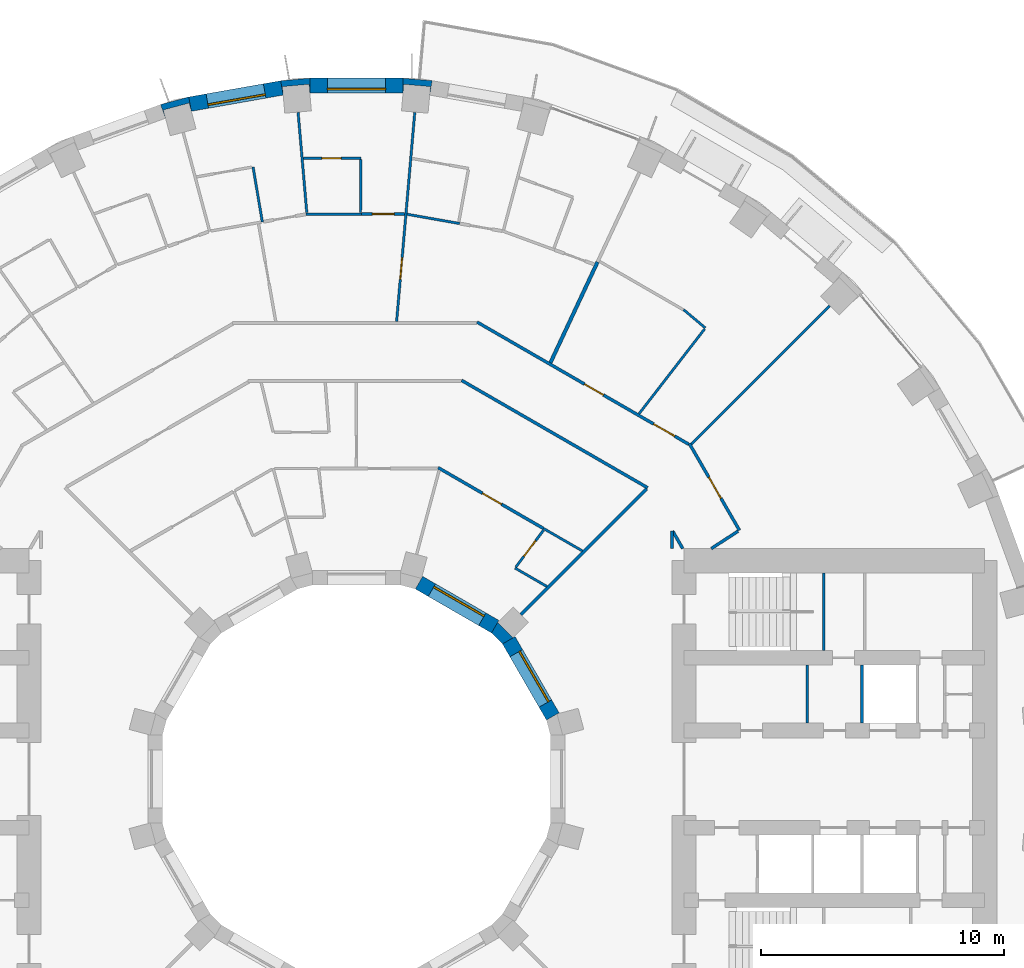
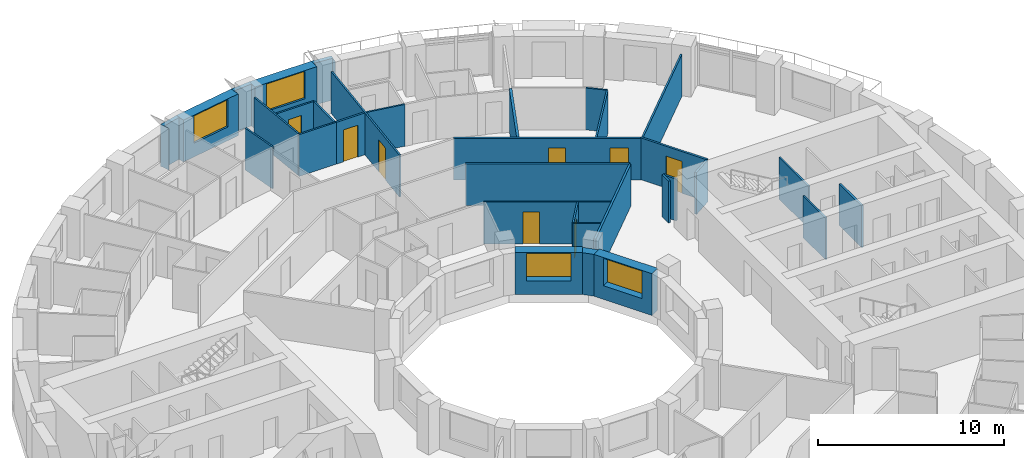
# One storey, part 12 of 15: 34 walls, 8 doors, 4 windows, 12 openings.
"""IFC4 building model written with IfcOpenShell, lengths in metres."""

from ifc_helpers import new_model, si_unit, direction, frame, frame_2d, origin, place, context, subcontext, project, spatial, polyline, rectangle, outline, extrude, material, layer, layer_set, type_object, element, fill, save


model = new_model("IFC4")

# Units and contexts
model_context = context("Model", 3, precision=1e-05, world=origin(), true_north=direction((0.0, 1.0)))
body_context = subcontext(model_context, "Body", "Model", "MODEL_VIEW")
ifc_project = project(units=[si_unit("LENGTHUNIT", "METRE"), si_unit("AREAUNIT", "SQUARE_METRE"), si_unit("VOLUMEUNIT", "CUBIC_METRE"), si_unit("PLANEANGLEUNIT", "RADIAN"), si_unit("MASSUNIT", "GRAM", prefix="KILO")], contexts=[model_context])

# Site, building, storey
site_placement = place(None, origin())
site = spatial("IfcSite", under=ifc_project, at=site_placement, CompositionType="ELEMENT")
building_placement = place(site_placement, origin())
building = spatial("IfcBuilding", under=site, at=building_placement, Name="Saqina Gate Tower", CompositionType="ELEMENT")
storey_placement = place(building_placement, frame((0.0, 0.0, 72.5)))
storey = spatial("IfcBuildingStorey", under=building, at=storey_placement, Name="L20", CompositionType="ELEMENT", Elevation=72.5)

# Walls
ifc_material_1 = material(Name="Brick masonry (red)", Category="masonry")
wall_type_1 = type_object("IfcWallType", Name="BRICK PIER COPING RED", PredefinedType="SOLIDWALL", material=ifc_material_1)
wall_1_placement = place(storey_placement, origin())
element("IfcWall", 1, at=wall_1_placement, inside=storey, type_object=wall_type_1, Name="Pier cap L20 column 9", PredefinedType="SOLIDWALL", context=body_context, shape_type="SweptSolid", body=[
    extrude(outline(polyline([(3.122802734375, 28.78466796875), (1.9228515625, 28.8896484375), (1.9228515625, 28.28955078125), (1.95361328125, 28.638671875), (3.04931640625, 28.54296875), (3.018798828125, 28.19384765625), (3.122802734375, 28.78466796875)])), origin(), (0.0, 0.0, 1.0), 2.75),
])
wall_2_placement = place(storey_placement, origin())
element("IfcWall", 2, at=wall_2_placement, inside=storey, type_object=wall_type_1, Name="Pier cap L20 column 10", PredefinedType="SOLIDWALL", context=body_context, shape_type="SweptSolid", body=[
    extrude(outline(polyline([(-1.9228515625, 28.8896484375), (-3.122802734375, 28.78466796875), (-3.018798828125, 28.19384765625), (-3.04931640625, 28.54296875), (-1.95361328125, 28.638671875), (-1.9228515625, 28.28955078125), (-1.9228515625, 28.8896484375)])), origin(), (0.0, 0.0, 1.0), 2.75),
])
wall_3_placement = place(storey_placement, origin())
element("IfcWall", 3, at=wall_3_placement, inside=storey, type_object=wall_type_1, Name="Pier cap L20 column 11", PredefinedType="SOLIDWALL", context=body_context, shape_type="SweptSolid", body=[
    extrude(outline(polyline([(-6.910400390625, 28.11669921875), (-8.073974609375, 27.80517578125), (-7.86865234375, 27.2412109375), (-7.95947265625, 27.57958984375), (-6.896728515625, 27.864501953125), (-6.80615234375, 27.52587890625), (-6.910400390625, 28.11669921875)])), origin(), (0.0, 0.0, 1.0), 2.75),
])
ifc_material_2 = material(Name="Gypsum board on steel studs", Category="steel")
ifc_layer_1 = layer(ifc_material_2, 0.10009765625)
ifc_layer_set_1 = layer_set([ifc_layer_1], Name="CORE PARTITION")
wall_type_2 = type_object("IfcWallType", Name="CORE PARTITION", PredefinedType="PARTITIONING", material=ifc_layer_set_1)
wall_4_placement = place(storey_placement, frame((18.582763671875, 2.300048828125, 0.0), z_axis=(0.0, 0.0, 1.0), x_axis=(0.0, 1.0, 0.0)))
element("IfcWall", 4, at=wall_4_placement, inside=storey, type_object=wall_type_2, Name="L20-CP-E01", PredefinedType="PARTITIONING", context=body_context, shape_type="SweptSolid", body=[
    extrude(rectangle(XDim=2.39990234375, YDim=0.10009765625, at=frame_2d((1.199951171875, 0.0))), origin(), (0.0, 0.0, 1.0), 2.75),
])

# Wall, opening, window
ifc_material_3 = material(Name="Brick masonry (red)", Category="masonry")
ifc_layer_2 = layer(ifc_material_3, 0.60009765625)
ifc_layer_set_2 = layer_set([ifc_layer_2], Name="FW-BRICK-RED")
wall_type_3 = type_object("IfcWallType", Name="FW-BRICK-RED", PredefinedType="SOLIDWALL", material=ifc_layer_set_2)
wall_5_placement = place(storey_placement, frame((1.9228515625, 28.589599609375, 0.0), z_axis=(0.0, 0.0, 1.0), x_axis=(-1.0, 0.0, 0.0)))
wall_5 = element("IfcWall", 5, at=wall_5_placement, inside=storey, type_object=wall_type_3, Name="Facade wall L20 facet 9", PredefinedType="SOLIDWALL", context=body_context, shape_type="SweptSolid", body=[
    extrude(rectangle(XDim=3.845703125, YDim=0.60009765625, at=frame_2d((1.9228515625, 0.0))), origin(), (0.0, 0.0, 1.0), 2.75),
])
opening_1_placement = place(wall_5_placement, frame((0.722900390625, 0.0, 0.89990234375)))
opening_1 = element("IfcOpeningElement", 6, at=opening_1_placement, cuts=wall_5, Name="Opening G05-W03", PredefinedType="OPENING", context=body_context, shape_type="SweptSolid", body=[
    extrude(rectangle(XDim=2.39990234375, YDim=1.800048828125, at=frame_2d((1.199951171875, 0.89990234375))), frame((0.0, 0.31201171875, 0.0), z_axis=(0.0, -1.0, 0.0), x_axis=(1.0, 0.0, 0.0)), (0.0, 0.0, 1.0), 0.6240234375),
])
ifc_material_4 = material(Name="Aluminium glazing", Category="aluminium")
window_type_1 = type_object("IfcWindowType", Name="WN-A", PartitioningType="SINGLE_PANEL", PredefinedType="WINDOW", material=ifc_material_4)
window_1_placement = place(opening_1_placement, origin())
window_1 = element("IfcWindow", 7, at=window_1_placement, inside=storey, type_object=window_type_1, Name="Window L20 facet 9", OverallHeight=1.800048828125, OverallWidth=2.39990234375, PartitioningType="SINGLE_PANEL", PredefinedType="WINDOW", context=body_context, shape_type="SweptSolid", body=[
    extrude(rectangle(XDim=2.39990234375, YDim=1.800048828125, at=frame_2d((1.199951171875, 0.89990234375))), frame((0.0, 0.179931640625, 0.0), z_axis=(0.0, -1.0, 0.0), x_axis=(1.0, 0.0, 0.0)), (0.0, 0.0, 1.0), 0.06005859375),
])
fill(opening_1, window_1)

wall_6_placement = place(storey_placement, frame((-3.07080078125, 28.4892578125, 0.0), z_axis=(0.0, 0.0, 1.0), x_axis=(-0.984800809218, -0.173687553279, 0.0)))
wall_6 = element("IfcWall", 8, at=wall_6_placement, inside=storey, type_object=wall_type_3, Name="Facade wall L20 facet 10", PredefinedType="SOLIDWALL", context=body_context, shape_type="SweptSolid", body=[
    extrude(rectangle(XDim=3.845703125, YDim=0.60009765625, at=frame_2d((1.9228515625, 0.0))), origin(), (0.0, 0.0, 1.0), 2.75),
])
opening_2_placement = place(wall_6_placement, frame((0.722900390625, 0.0, 0.89990234375)))
opening_2 = element("IfcOpeningElement", 9, at=opening_2_placement, cuts=wall_6, Name="Opening G05-W04", PredefinedType="OPENING", context=body_context, shape_type="SweptSolid", body=[
    extrude(rectangle(XDim=2.39990234375, YDim=1.800048828125, at=frame_2d((1.199951171875, 0.89990234375))), frame((0.0, 0.31201171875, 0.0), z_axis=(0.0, -1.0, 0.0), x_axis=(1.0, 0.0, 0.0)), (0.0, 0.0, 1.0), 0.6240234375),
])
window_2_placement = place(opening_2_placement, origin())
window_2 = element("IfcWindow", 10, at=window_2_placement, inside=storey, type_object=window_type_1, Name="Window L20 facet 10", OverallHeight=1.800048828125, OverallWidth=2.39990234375, PartitioningType="SINGLE_PANEL", PredefinedType="WINDOW", context=body_context, shape_type="SweptSolid", body=[
    extrude(rectangle(XDim=2.39990234375, YDim=1.800048828125, at=frame_2d((1.199951171875, 0.89990234375))), frame((0.0, 0.179931640625, 0.0), z_axis=(0.0, -1.0, 0.0), x_axis=(1.0, 0.0, 0.0)), (0.0, 0.0, 1.0), 0.06005859375),
])
fill(opening_2, window_2)

ifc_material_5 = material(Name="Glazed ceramic tile", Category="ceramic")
ifc_layer_3 = layer(ifc_material_5, 0.60009765625)
ifc_layer_set_3 = layer_set([ifc_layer_3], Name="IW-TILE")
wall_type_4 = type_object("IfcWallType", Name="IW-TILE", PredefinedType="SOLIDWALL", material=ifc_layer_set_3)
wall_7_placement = place(storey_placement, frame((8.09423828125, 2.580322265625, 0.0), z_axis=(0.0, 0.0, 1.0), x_axis=(-0.499992569217, 0.866029693906, 0.0)))
wall_7 = element("IfcWall", 11, at=wall_7_placement, inside=storey, type_object=wall_type_4, Name="Well wall L20 facet 1", PredefinedType="SOLIDWALL", context=body_context, shape_type="SweptSolid", body=[
    extrude(rectangle(XDim=3.625, YDim=0.60009765625, at=frame_2d((1.8125, 0.0))), origin(), (0.0, 0.0, 1.0), 2.75),
])
opening_3_placement = place(wall_7_placement, frame((0.612548828125, 0.0, 0.89990234375)))
opening_3 = element("IfcOpeningElement", 12, at=opening_3_placement, cuts=wall_7, Name="Opening G05-W23", PredefinedType="OPENING", context=body_context, shape_type="SweptSolid", body=[
    extrude(rectangle(XDim=2.39990234375, YDim=1.800048828125, at=frame_2d((1.199951171875, 0.89990234375))), frame((0.0, 0.31201171875, 0.0), z_axis=(0.0, -1.0, 0.0), x_axis=(1.0, 0.0, 0.0)), (0.0, 0.0, 1.0), 0.6240234375),
])
ifc_material_6 = material(Name="Aluminium glazing", Category="aluminium")
window_type_2 = type_object("IfcWindowType", Name="WN-W", PartitioningType="SINGLE_PANEL", PredefinedType="WINDOW", material=ifc_material_6)
window_3_placement = place(opening_3_placement, origin())
window_3 = element("IfcWindow", 13, at=window_3_placement, inside=storey, type_object=window_type_2, Name="Well window L20 facet 1", OverallHeight=1.800048828125, OverallWidth=2.39990234375, PartitioningType="SINGLE_PANEL", PredefinedType="WINDOW", context=body_context, shape_type="SweptSolid", body=[
    extrude(rectangle(XDim=2.39990234375, YDim=1.800048828125, at=frame_2d((1.199951171875, 0.89990234375))), frame((0.0, -0.119873046875, 0.0), z_axis=(0.0, -1.0, 0.0), x_axis=(1.0, 0.0, 0.0)), (0.0, 0.0, 1.0), 0.06005859375),
])
fill(opening_3, window_3)

wall_8_placement = place(storey_placement, frame((5.7197265625, 6.28173828125, 0.0), z_axis=(0.0, 0.0, 1.0), x_axis=(-0.866029693906, 0.499992569217, 0.0)))
wall_8 = element("IfcWall", 14, at=wall_8_placement, inside=storey, type_object=wall_type_4, Name="Well wall L20 facet 2", PredefinedType="SOLIDWALL", context=body_context, shape_type="SweptSolid", body=[
    extrude(rectangle(XDim=3.625, YDim=0.60009765625, at=frame_2d((1.8125, 0.0))), origin(), (0.0, 0.0, 1.0), 2.75),
])
opening_4_placement = place(wall_8_placement, frame((0.612548828125, 0.0, 0.89990234375)))
opening_4 = element("IfcOpeningElement", 15, at=opening_4_placement, cuts=wall_8, Name="Opening G05-W24", PredefinedType="OPENING", context=body_context, shape_type="SweptSolid", body=[
    extrude(rectangle(XDim=2.39990234375, YDim=1.800048828125, at=frame_2d((1.199951171875, 0.89990234375))), frame((0.0, 0.31201171875, 0.0), z_axis=(0.0, -1.0, 0.0), x_axis=(1.0, 0.0, 0.0)), (0.0, 0.0, 1.0), 0.6240234375),
])
window_4_placement = place(opening_4_placement, origin())
window_4 = element("IfcWindow", 16, at=window_4_placement, inside=storey, type_object=window_type_2, Name="Well window L20 facet 2", OverallHeight=1.800048828125, OverallWidth=2.39990234375, PartitioningType="SINGLE_PANEL", PredefinedType="WINDOW", context=body_context, shape_type="SweptSolid", body=[
    extrude(rectangle(XDim=2.39990234375, YDim=1.800048828125, at=frame_2d((1.199951171875, 0.89990234375))), frame((0.0, -0.119873046875, 0.0), z_axis=(0.0, -1.0, 0.0), x_axis=(1.0, 0.0, 0.0)), (0.0, 0.0, 1.0), 0.06005859375),
])
fill(opening_4, window_4)

# Walls
ifc_material_7 = material(Name="Gypsum board on steel studs, 100 mm", Category="steel")
ifc_layer_4 = layer(ifc_material_7, 0.10009765625)
ifc_layer_set_4 = layer_set([ifc_layer_4], Name="PARTITION 100")
wall_type_5 = type_object("IfcWallType", Name="PARTITION 100", PredefinedType="PARTITIONING", material=ifc_layer_set_4)
wall_9_placement = place(storey_placement, frame((-2.405029296875, 27.48486328125, 0.0), z_axis=(0.0, 0.0, 1.0), x_axis=(0.086512794622, -0.996250739707, 0.0)))
element("IfcWall", 17, at=wall_9_placement, inside=storey, type_object=wall_type_5, Name="PARTITION PW3-04", PredefinedType="PARTITIONING", context=body_context, shape_type="SweptSolid", body=[
    extrude(rectangle(XDim=4.1484375, YDim=0.10009765625, at=frame_2d((2.07421875, 0.0))), origin(), (0.0, 0.0, 1.0), 2.75),
])
wall_10_placement = place(storey_placement, frame((-4.261962890625, 25.23291015625, 0.0), z_axis=(0.0, 0.0, 1.0), x_axis=(0.166550297596, -0.986032960083, 0.0)))
element("IfcWall", 18, at=wall_10_placement, inside=storey, type_object=wall_type_5, Name="PARTITION PW3-08", PredefinedType="PARTITIONING", context=body_context, shape_type="SweptSolid", body=[
    extrude(rectangle(XDim=2.300048828125, YDim=0.10009765625, at=frame_2d((1.14990234375, 0.0))), origin(), (0.0, 0.0, 1.0), 2.75),
])
wall_11_placement = place(storey_placement, frame((13.48681640625, 19.348876953125, 0.0), z_axis=(0.0, 0.0, 1.0), x_axis=(0.765126879229, -0.643879537399, 0.0)))
element("IfcWall", 19, at=wall_11_placement, inside=storey, type_object=wall_type_5, Name="PARTITION PW3-35", PredefinedType="PARTITIONING", context=body_context, shape_type="SweptSolid", body=[
    extrude(rectangle(XDim=1.173828125, YDim=0.10009765625, at=frame_2d((0.5869140625, 0.0))), origin(), (0.0, 0.0, 1.0), 2.75),
])
wall_12_placement = place(storey_placement, frame((6.5390625, 8.696044921875, 0.0), z_axis=(0.0, 0.0, 1.0), x_axis=(0.86577516296, -0.500433179557, 0.0)))
element("IfcWall", 20, at=wall_12_placement, inside=storey, type_object=wall_type_5, Name="PARTITION PW3-45", PredefinedType="PARTITIONING", context=body_context, shape_type="SweptSolid", body=[
    extrude(rectangle(XDim=1.516357421875, YDim=0.10009765625, at=frame_2d((0.75830078125, 0.0))), origin(), (0.0, 0.0, 1.0), 2.75),
])
wall_13_placement = place(storey_placement, frame((7.706787109375, 10.3310546875, 0.0), z_axis=(0.0, 0.0, 1.0), x_axis=(0.865872660715, -0.500264465484, 0.0)))
element("IfcWall", 21, at=wall_13_placement, inside=storey, type_object=wall_type_5, Name="PARTITION PW3-46", PredefinedType="PARTITIONING", context=body_context, shape_type="SweptSolid", body=[
    extrude(rectangle(XDim=1.8583984375, YDim=0.10009765625, at=frame_2d((0.92919921875, 0.0))), origin(), (0.0, 0.0, 1.0), 2.75),
])
wall_14_placement = place(storey_placement, frame((2.087158203125, 23.28125, 0.0), z_axis=(0.0, 0.0, 1.0), x_axis=(0.984790246942, -0.173747430277, 0.0)))
element("IfcWall", 22, at=wall_14_placement, inside=storey, type_object=wall_type_5, Name="PARTITION PW3-56", PredefinedType="PARTITIONING", context=body_context, shape_type="SweptSolid", body=[
    extrude(rectangle(XDim=2.20458984375, YDim=0.10009765625, at=frame_2d((1.102294921875, 0.0))), origin(), (0.0, 0.0, 1.0), 2.75),
])
wall_15_placement = place(storey_placement, frame((-2.0888671875, 23.2900390625, 0.0), z_axis=(0.0, 0.0, 1.0), x_axis=(1.0, 0.0, 0.0)))
element("IfcWall", 23, at=wall_15_placement, inside=storey, type_object=wall_type_5, Name="PARTITION PW3-65", PredefinedType="PARTITIONING", context=body_context, shape_type="SweptSolid", body=[
    extrude(rectangle(XDim=2.306884765625, YDim=0.10009765625, at=frame_2d((1.1533203125, 0.0))), origin(), (0.0, 0.0, 1.0), 2.75),
])

# Wall, opening, door
wall_16_placement = place(storey_placement, frame((-2.18896484375, 25.590087890625, 0.0), z_axis=(0.0, 0.0, 1.0), x_axis=(1.0, 0.0, 0.0)))
wall_16 = element("IfcWall", 24, at=wall_16_placement, inside=storey, type_object=wall_type_5, Name="PARTITION PW3-66", PredefinedType="PARTITIONING", context=body_context, shape_type="SweptSolid", body=[
    extrude(rectangle(XDim=2.373046875, YDim=0.10009765625, at=frame_2d((1.1865234375, 0.0))), origin(), (0.0, 0.0, 1.0), 2.75),
])
opening_5_placement = place(wall_16_placement, frame((0.761474609375, 0.0, 0.0)))
opening_5 = element("IfcOpeningElement", 25, at=opening_5_placement, cuts=wall_16, Name="Opening G05-D14", PredefinedType="OPENING", context=body_context, shape_type="SweptSolid", body=[
    extrude(rectangle(XDim=0.800048828125, YDim=2.10009765625, at=frame_2d((0.39990234375, 1.050048828125))), frame((0.0, 0.06201171875, 0.0), z_axis=(0.0, -1.0, 0.0), x_axis=(1.0, 0.0, 0.0)), (0.0, 0.0, 1.0), 0.1240234375),
])
ifc_material_8 = material(Name="Timber door leaf, 800 mm", Category="wood")
door_type_1 = type_object("IfcDoorType", Name="DOOR 800 TIMBER", OperationType="SINGLE_SWING_LEFT", PredefinedType="DOOR", material=ifc_material_8)
door_1_placement = place(opening_5_placement, origin())
door_1 = element("IfcDoor", 26, at=door_1_placement, inside=storey, type_object=door_type_1, Name="DOOR G05-D14", OperationType="SINGLE_SWING_LEFT", OverallHeight=2.10009765625, OverallWidth=0.800048828125, PredefinedType="DOOR", context=body_context, shape_type="SweptSolid", body=[
    extrude(rectangle(XDim=0.800048828125, YDim=2.10009765625, at=frame_2d((0.39990234375, 1.050048828125))), frame((0.0, 0.02490234375, 0.0), z_axis=(0.0, -1.0, 0.0), x_axis=(1.0, 0.0, 0.0)), (0.0, 0.0, 1.0), 0.050048828125),
])
fill(opening_5, door_1)

# Walls
wall_17_placement = place(storey_placement, frame((13.80712890625, 13.80712890625, 0.0), z_axis=(0.0, 0.0, 1.0), x_axis=(0.707106781187, 0.707106781187, 0.0)))
element("IfcWall", 27, at=wall_17_placement, inside=storey, type_object=wall_type_5, Name="PARTITION PW3-88", PredefinedType="PARTITIONING", context=body_context, shape_type="SweptSolid", body=[
    extrude(rectangle(XDim=8.063720703125, YDim=0.10009765625, at=frame_2d((4.03173828125, 0.0))), origin(), (0.0, 0.0, 1.0), 2.75),
])
wall_18_placement = place(storey_placement, frame((11.648193359375, 15.055419921875, 0.0), z_axis=(0.0, 0.0, 1.0), x_axis=(0.611909290422, 0.790927948865, 0.0)))
element("IfcWall", 28, at=wall_18_placement, inside=storey, type_object=wall_type_5, Name="PARTITION PW3-93", PredefinedType="PARTITIONING", context=body_context, shape_type="SweptSolid", body=[
    extrude(rectangle(XDim=4.422607421875, YDim=0.10009765625, at=frame_2d((2.21142578125, 0.0))), origin(), (0.0, 0.0, 1.0), 2.75),
])

# Wall, opening, door
wall_19_placement = place(storey_placement, frame((6.569091796875, 8.73583984375, 0.0), z_axis=(0.0, 0.0, 1.0), x_axis=(0.601046793523, 0.799213833711, 0.0)))
wall_19 = element("IfcWall", 29, at=wall_19_placement, inside=storey, type_object=wall_type_5, Name="PARTITION PW3-94", PredefinedType="PARTITIONING", context=body_context, shape_type="SweptSolid", body=[
    extrude(rectangle(XDim=1.902099609375, YDim=0.10009765625, at=frame_2d((0.951171875, 0.0))), origin(), (0.0, 0.0, 1.0), 2.75),
])
opening_6_placement = place(wall_19_placement, frame((0.557373046875, 0.0, 0.0)))
opening_6 = element("IfcOpeningElement", 30, at=opening_6_placement, cuts=wall_19, Name="Opening G05-D03", PredefinedType="OPENING", context=body_context, shape_type="SweptSolid", body=[
    extrude(rectangle(XDim=0.800048828125, YDim=2.10009765625, at=frame_2d((0.39990234375, 1.050048828125))), frame((0.0, 0.06201171875, 0.0), z_axis=(0.0, -1.0, 0.0), x_axis=(1.0, 0.0, 0.0)), (0.0, 0.0, 1.0), 0.1240234375),
])
door_2_placement = place(opening_6_placement, origin())
door_2 = element("IfcDoor", 31, at=door_2_placement, inside=storey, type_object=door_type_1, Name="DOOR G05-D03", OperationType="SINGLE_SWING_RIGHT", OverallHeight=2.10009765625, OverallWidth=0.800048828125, PredefinedType="DOOR", context=body_context, shape_type="SweptSolid", body=[
    extrude(rectangle(XDim=0.800048828125, YDim=2.10009765625, at=frame_2d((0.39990234375, 1.050048828125))), frame((0.0, 0.02490234375, 0.0), z_axis=(0.0, -1.0, 0.0), x_axis=(1.0, 0.0, 0.0)), (0.0, 0.0, 1.0), 0.050048828125),
])
fill(opening_6, door_2)

wall_20_placement = place(storey_placement, frame((1.656494140625, 18.86181640625, 0.0), z_axis=(0.0, 0.0, 1.0), x_axis=(0.086481121159, 0.996253489672, 0.0)))
wall_20 = element("IfcWall", 32, at=wall_20_placement, inside=storey, type_object=wall_type_5, Name="PARTITION PW3-111", PredefinedType="PARTITIONING", context=body_context, shape_type="SweptSolid", body=[
    extrude(rectangle(XDim=8.655517578125, YDim=0.10009765625, at=frame_2d((4.32763671875, 0.0))), origin(), (0.0, 0.0, 1.0), 2.75),
])
opening_7_placement = place(wall_20_placement, frame((1.7412109375, 0.0, 0.0)))
opening_7 = element("IfcOpeningElement", 33, at=opening_7_placement, cuts=wall_20, Name="Opening G05-D10", PredefinedType="OPENING", context=body_context, shape_type="SweptSolid", body=[
    extrude(rectangle(XDim=0.89990234375, YDim=2.10009765625, at=frame_2d((0.449951171875, 1.050048828125))), frame((0.0, 0.06201171875, 0.0), z_axis=(0.0, -1.0, 0.0), x_axis=(1.0, 0.0, 0.0)), (0.0, 0.0, 1.0), 0.1240234375),
])
ifc_material_9 = material(Name="Timber door leaf, 900 mm", Category="wood")
door_type_2 = type_object("IfcDoorType", Name="DOOR 900 TIMBER", OperationType="SINGLE_SWING_LEFT", PredefinedType="DOOR", material=ifc_material_9)
door_3_placement = place(opening_7_placement, frame((0.89990234375, 0.0, 0.0), z_axis=(0.0, 0.0, 1.0), x_axis=(-1.0, 0.0, 0.0)))
door_3 = element("IfcDoor", 34, at=door_3_placement, inside=storey, type_object=door_type_2, Name="DOOR G05-D10", OperationType="SINGLE_SWING_RIGHT", OverallHeight=2.10009765625, OverallWidth=0.89990234375, PredefinedType="DOOR", context=body_context, shape_type="SweptSolid", body=[
    extrude(rectangle(XDim=0.89990234375, YDim=2.10009765625, at=frame_2d((0.449951171875, 1.050048828125))), frame((0.0, 0.02490234375, 0.0), z_axis=(0.0, -1.0, 0.0), x_axis=(1.0, 0.0, 0.0)), (0.0, 0.0, 1.0), 0.050048828125),
])
fill(opening_7, door_3)

# Walls
wall_21_placement = place(storey_placement, frame((0.16845703125, 23.3525390625, 0.0), z_axis=(0.0, 0.0, 1.0), x_axis=(0.006919477202, 0.999976060131, 0.0)))
element("IfcWall", 35, at=wall_21_placement, inside=storey, type_object=wall_type_5, Name="PARTITION PW3-113", PredefinedType="PARTITIONING", context=body_context, shape_type="SweptSolid", body=[
    extrude(rectangle(XDim=2.1875, YDim=0.10009765625, at=frame_2d((1.09375, 0.0))), origin(), (0.0, 0.0, 1.0), 2.75),
])
ifc_material_10 = material(Name="Gypsum board on steel studs, 125 mm, fire rated", Category="steel")
ifc_layer_5 = layer(ifc_material_10, 0.125)
ifc_layer_set_5 = layer_set([ifc_layer_5], Name="PARTITION EI 30 125")
wall_type_6 = type_object("IfcWallType", Name="PARTITION EI 30 125", PredefinedType="PARTITIONING", material=ifc_layer_set_5)
wall_22_placement = place(storey_placement, frame((13.034912109375, 10.222412109375, 0.0), z_axis=(0.0, 0.0, 1.0), x_axis=(0.49991670217, -0.866073490468, 0.0)))
element("IfcWall", 36, at=wall_22_placement, inside=storey, type_object=wall_type_6, Name="PARTITION PW1-03", PredefinedType="PARTITIONING", context=body_context, shape_type="SweptSolid", body=[
    extrude(rectangle(XDim=0.834228515625, YDim=0.125, at=frame_2d((0.4169921875, 0.0))), origin(), (0.0, 0.0, 1.0), 2.75),
])

# Wall, opening, door
wall_23_placement = place(storey_placement, frame((13.726806640625, 13.825439453125, 0.0), z_axis=(0.0, 0.0, 1.0), x_axis=(0.49993934159, -0.866060422101, 0.0)))
wall_23 = element("IfcWall", 37, at=wall_23_placement, inside=storey, type_object=wall_type_6, Name="PARTITION PW1-04", PredefinedType="PARTITIONING", context=body_context, shape_type="SweptSolid", body=[
    extrude(rectangle(XDim=4.125, YDim=0.125, at=frame_2d((2.0625, 0.0))), origin(), (0.0, 0.0, 1.0), 2.75),
])
opening_8_placement = place(wall_23_placement, frame((1.5986328125, 0.0, 0.0)))
opening_8 = element("IfcOpeningElement", 38, at=opening_8_placement, cuts=wall_23, Name="Opening G05-D01", PredefinedType="OPENING", context=body_context, shape_type="SweptSolid", body=[
    extrude(rectangle(XDim=1.0, YDim=2.10009765625, at=frame_2d((0.5, 1.050048828125))), frame((0.0, 0.074462890625, 0.0), z_axis=(0.0, -1.0, 0.0), x_axis=(1.0, 0.0, 0.0)), (0.0, 0.0, 1.0), 0.14892578125),
])
ifc_material_11 = material(Name="Fire door leaf EI 30, 1000 mm")
door_type_3 = type_object("IfcDoorType", Name="DOOR 1000 EI 30", OperationType="SINGLE_SWING_LEFT", PredefinedType="DOOR", material=ifc_material_11)
door_4_placement = place(opening_8_placement, frame((1.0, 0.0, 0.0), z_axis=(0.0, 0.0, 1.0), x_axis=(-1.0, 0.0, 0.0)))
door_4 = element("IfcDoor", 39, at=door_4_placement, inside=storey, type_object=door_type_3, Name="DOOR G05-D01", OperationType="SINGLE_SWING_LEFT", OverallHeight=2.10009765625, OverallWidth=1.0, PredefinedType="DOOR", context=body_context, shape_type="SweptSolid", body=[
    extrude(rectangle(XDim=1.0, YDim=2.10009765625, at=frame_2d((0.5, 1.050048828125))), frame((0.0, 0.02490234375, 0.0), z_axis=(0.0, -1.0, 0.0), x_axis=(1.0, 0.0, 0.0)), (0.0, 0.0, 1.0), 0.050048828125),
])
fill(opening_8, door_4)

wall_24_placement = place(storey_placement, frame((3.367431640625, 12.836181640625, 0.0), z_axis=(0.0, 0.0, 1.0), x_axis=(0.866042781899, -0.499969899014, 0.0)))
wall_24 = element("IfcWall", 40, at=wall_24_placement, inside=storey, type_object=wall_type_6, Name="PARTITION PW1-11", PredefinedType="PARTITIONING", context=body_context, shape_type="SweptSolid", body=[
    extrude(rectangle(XDim=5.010498046875, YDim=0.125, at=frame_2d((2.50537109375, 0.0))), origin(), (0.0, 0.0, 1.0), 2.75),
])
opening_9_placement = place(wall_24_placement, frame((2.1162109375, 0.0, 0.0)))
opening_9 = element("IfcOpeningElement", 41, at=opening_9_placement, cuts=wall_24, Name="Opening G05-D05", PredefinedType="OPENING", context=body_context, shape_type="SweptSolid", body=[
    extrude(rectangle(XDim=0.89990234375, YDim=2.10009765625, at=frame_2d((0.449951171875, 1.050048828125))), frame((0.0, 0.074462890625, 0.0), z_axis=(0.0, -1.0, 0.0), x_axis=(1.0, 0.0, 0.0)), (0.0, 0.0, 1.0), 0.14892578125),
])
ifc_material_12 = material(Name="Fire door leaf EI 30, 900 mm")
door_type_4 = type_object("IfcDoorType", Name="DOOR 900 EI 30", OperationType="SINGLE_SWING_LEFT", PredefinedType="DOOR", material=ifc_material_12)
door_5_placement = place(opening_9_placement, origin())
door_5 = element("IfcDoor", 42, at=door_5_placement, inside=storey, type_object=door_type_4, Name="DOOR G05-D05", OperationType="SINGLE_SWING_RIGHT", OverallHeight=2.10009765625, OverallWidth=0.89990234375, PredefinedType="DOOR", context=body_context, shape_type="SweptSolid", body=[
    extrude(rectangle(XDim=0.89990234375, YDim=2.10009765625, at=frame_2d((0.449951171875, 1.050048828125))), frame((0.0, 0.02490234375, 0.0), z_axis=(0.0, -1.0, 0.0), x_axis=(1.0, 0.0, 0.0)), (0.0, 0.0, 1.0), 0.050048828125),
])
fill(opening_9, door_5)

# Wall
wall_25_placement = place(storey_placement, frame((4.33154296875, 16.43603515625, 0.0), z_axis=(0.0, 0.0, 1.0), x_axis=(0.866073188118, -0.499917225971, 0.0)))
element("IfcWall", 43, at=wall_25_placement, inside=storey, type_object=wall_type_6, Name="PARTITION PW1-12", PredefinedType="PARTITIONING", context=body_context, shape_type="SweptSolid", body=[
    extrude(rectangle(XDim=8.861328125, YDim=0.125, at=frame_2d((4.4306640625, 0.0))), origin(), (0.0, 0.0, 1.0), 2.75),
])

# Wall, openings, doors
wall_26_placement = place(storey_placement, frame((4.974609375, 18.836181640625, 0.0), z_axis=(0.0, 0.0, 1.0), x_axis=(0.866059817553, -0.499940388867, 0.0)))
wall_26 = element("IfcWall", 44, at=wall_26_placement, inside=storey, type_object=wall_type_6, Name="PARTITION PW1-13", PredefinedType="PARTITIONING", context=body_context, shape_type="SweptSolid", body=[
    extrude(rectangle(XDim=10.085205078125, YDim=0.125, at=frame_2d((5.04248046875, 0.0))), origin(), (0.0, 0.0, 1.0), 2.75),
])
opening_10_placement = place(wall_26_placement, frame((8.404541015625, 0.0, 0.0)))
opening_10 = element("IfcOpeningElement", 45, at=opening_10_placement, cuts=wall_26, Name="Opening G05-D02", PredefinedType="OPENING", context=body_context, shape_type="SweptSolid", body=[
    extrude(rectangle(XDim=1.0, YDim=2.10009765625, at=frame_2d((0.5, 1.050048828125))), frame((0.0, 0.074462890625, 0.0), z_axis=(0.0, -1.0, 0.0), x_axis=(1.0, 0.0, 0.0)), (0.0, 0.0, 1.0), 0.14892578125),
])
opening_11_placement = place(wall_26_placement, frame((5.113525390625, 0.0, 0.0)))
opening_11 = element("IfcOpeningElement", 46, at=opening_11_placement, cuts=wall_26, Name="Opening G05-D04", PredefinedType="OPENING", context=body_context, shape_type="SweptSolid", body=[
    extrude(rectangle(XDim=0.89990234375, YDim=2.10009765625, at=frame_2d((0.449951171875, 1.050048828125))), frame((0.0, 0.074462890625, 0.0), z_axis=(0.0, -1.0, 0.0), x_axis=(1.0, 0.0, 0.0)), (0.0, 0.0, 1.0), 0.14892578125),
])
door_6_placement = place(opening_10_placement, origin())
door_6 = element("IfcDoor", 47, at=door_6_placement, inside=storey, type_object=door_type_3, Name="DOOR G05-D02", OperationType="SINGLE_SWING_LEFT", OverallHeight=2.10009765625, OverallWidth=1.0, PredefinedType="DOOR", context=body_context, shape_type="SweptSolid", body=[
    extrude(rectangle(XDim=1.0, YDim=2.10009765625, at=frame_2d((0.5, 1.050048828125))), frame((0.0, 0.02490234375, 0.0), z_axis=(0.0, -1.0, 0.0), x_axis=(1.0, 0.0, 0.0)), (0.0, 0.0, 1.0), 0.050048828125),
])
fill(opening_10, door_6)
door_7_placement = place(opening_11_placement, origin())
door_7 = element("IfcDoor", 48, at=door_7_placement, inside=storey, type_object=door_type_4, Name="DOOR G05-D04", OperationType="SINGLE_SWING_RIGHT", OverallHeight=2.10009765625, OverallWidth=0.89990234375, PredefinedType="DOOR", context=body_context, shape_type="SweptSolid", body=[
    extrude(rectangle(XDim=0.89990234375, YDim=2.10009765625, at=frame_2d((0.449951171875, 1.050048828125))), frame((0.0, 0.02490234375, 0.0), z_axis=(0.0, -1.0, 0.0), x_axis=(1.0, 0.0, 0.0)), (0.0, 0.0, 1.0), 0.050048828125),
])
fill(opening_11, door_7)

# Wall, opening, door
wall_27_placement = place(storey_placement, frame((0.218017578125, 23.2900390625, 0.0), z_axis=(0.0, 0.0, 1.0), x_axis=(1.0, 0.0, 0.0)))
wall_27 = element("IfcWall", 49, at=wall_27_placement, inside=storey, type_object=wall_type_6, Name="PARTITION PW1-26", PredefinedType="PARTITIONING", context=body_context, shape_type="SweptSolid", body=[
    extrude(rectangle(XDim=1.77001953125, YDim=0.125, at=frame_2d((0.885009765625, 0.0))), origin(), (0.0, 0.0, 1.0), 2.75),
])
opening_12_placement = place(wall_27_placement, frame((0.43505859375, 0.0, 0.0)))
opening_12 = element("IfcOpeningElement", 50, at=opening_12_placement, cuts=wall_27, Name="Opening G05-D12", PredefinedType="OPENING", context=body_context, shape_type="SweptSolid", body=[
    extrude(rectangle(XDim=0.89990234375, YDim=2.10009765625, at=frame_2d((0.449951171875, 1.050048828125))), frame((0.0, 0.074462890625, 0.0), z_axis=(0.0, -1.0, 0.0), x_axis=(1.0, 0.0, 0.0)), (0.0, 0.0, 1.0), 0.14892578125),
])
door_8_placement = place(opening_12_placement, frame((0.89990234375, 0.0, 0.0), z_axis=(0.0, 0.0, 1.0), x_axis=(-1.0, 0.0, 0.0)))
door_8 = element("IfcDoor", 51, at=door_8_placement, inside=storey, type_object=door_type_4, Name="DOOR G05-D12", OperationType="SINGLE_SWING_LEFT", OverallHeight=2.10009765625, OverallWidth=0.89990234375, PredefinedType="DOOR", context=body_context, shape_type="SweptSolid", body=[
    extrude(rectangle(XDim=0.89990234375, YDim=2.10009765625, at=frame_2d((0.449951171875, 1.050048828125))), frame((0.0, 0.02490234375, 0.0), z_axis=(0.0, -1.0, 0.0), x_axis=(1.0, 0.0, 0.0)), (0.0, 0.0, 1.0), 0.050048828125),
])
fill(opening_12, door_8)

# Walls
wall_28_placement = place(storey_placement, frame((14.62890625, 9.5, 0.0), z_axis=(0.0, 0.0, 1.0), x_axis=(0.838785586694, 0.544461880717, 0.0)))
element("IfcWall", 52, at=wall_28_placement, inside=storey, type_object=wall_type_6, Name="PARTITION PW1-39", PredefinedType="PARTITIONING", context=body_context, shape_type="SweptSolid", body=[
    extrude(rectangle(XDim=1.320556640625, YDim=0.125, at=frame_2d((0.66015625, 0.0))), origin(), (0.0, 0.0, 1.0), 2.75),
])
wall_29_placement = place(storey_placement, frame((6.78271484375, 6.78271484375, 0.0), z_axis=(0.0, 0.0, 1.0), x_axis=(0.707106781187, 0.707106781187, 0.0)))
element("IfcWall", 53, at=wall_29_placement, inside=storey, type_object=wall_type_6, Name="PARTITION PW1-43", PredefinedType="PARTITIONING", context=body_context, shape_type="SweptSolid", body=[
    extrude(rectangle(XDim=7.324462890625, YDim=0.125, at=frame_2d((3.662109375, 0.0))), origin(), (0.0, 0.0, 1.0), 2.75),
])
wall_30_placement = place(storey_placement, frame((13.0, 9.5, 0.0), z_axis=(0.0, 0.0, 1.0), x_axis=(0.0, 1.0, 0.0)))
element("IfcWall", 54, at=wall_30_placement, inside=storey, type_object=wall_type_6, Name="PARTITION PW1-54", PredefinedType="PARTITIONING", context=body_context, shape_type="SweptSolid", body=[
    extrude(rectangle(XDim=0.720458984375, YDim=0.125, at=frame_2d((0.3603515625, 0.0))), origin(), (0.0, 0.0, 1.0), 2.75),
])
ifc_material_13 = material(Name="Gypsum board on steel studs, 150 mm, fire rated", Category="steel")
ifc_layer_6 = layer(ifc_material_13, 0.14990234375)
ifc_layer_set_6 = layer_set([ifc_layer_6], Name="PARTITION EI 60 150")
wall_type_7 = type_object("IfcWallType", Name="PARTITION EI 60 150", PredefinedType="PARTITIONING", material=ifc_layer_set_6)
wall_31_placement = place(storey_placement, frame((7.998291015625, 17.16259765625, 0.0), z_axis=(0.0, 0.0, 1.0), x_axis=(0.423462967361, 0.905913414888, 0.0)))
element("IfcWall", 55, at=wall_31_placement, inside=storey, type_object=wall_type_7, Name="PARTITION PW2-02", PredefinedType="PARTITIONING", context=body_context, shape_type="SweptSolid", body=[
    extrude(rectangle(XDim=4.581787109375, YDim=0.14990234375, at=frame_2d((2.291015625, 0.0))), origin(), (0.0, 0.0, 1.0), 2.75),
])
ifc_material_14 = material(Name="Autoclaved aerated concrete block", Category="concrete")
ifc_layer_7 = layer(ifc_material_14, 0.1201171875)
ifc_layer_set_7 = layer_set([ifc_layer_7], Name="SHAFT PARTITION")
wall_type_8 = type_object("IfcWallType", Name="SHAFT PARTITION", PredefinedType="PARTITIONING", material=ifc_layer_set_7)
wall_32_placement = place(storey_placement, frame((20.840087890625, 2.300048828125, 0.0), z_axis=(0.0, 0.0, 1.0), x_axis=(0.0, 1.0, 0.0)))
element("IfcWall", 56, at=wall_32_placement, inside=storey, type_object=wall_type_8, Name="L20-CP-E02", PredefinedType="PARTITIONING", context=body_context, shape_type="SweptSolid", body=[
    extrude(rectangle(XDim=2.39990234375, YDim=0.1201171875, at=frame_2d((1.199951171875, 0.0))), origin(), (0.0, 0.0, 1.0), 2.75),
])
ifc_material_15 = material(Name="Autoclaved aerated concrete block", Category="concrete")
ifc_layer_8 = layer(ifc_material_15, 0.10009765625)
ifc_layer_set_8 = layer_set([ifc_layer_8], Name="STAIR ENCLOSURE WALL")
wall_type_9 = type_object("IfcWallType", Name="STAIR ENCLOSURE WALL", PredefinedType="PARTITIONING", material=ifc_layer_set_8)
wall_33_placement = place(storey_placement, frame((19.27001953125, 5.300048828125, 0.0), z_axis=(0.0, 0.0, 1.0), x_axis=(0.0, 1.0, 0.0)))
element("IfcWall", 57, at=wall_33_placement, inside=storey, type_object=wall_type_9, Name="L20-CP-E11", PredefinedType="PARTITIONING", context=body_context, shape_type="SweptSolid", body=[
    extrude(rectangle(XDim=3.199951171875, YDim=0.10009765625, at=frame_2d((1.60009765625, 0.0))), origin(), (0.0, 0.0, 1.0), 2.75),
])
ifc_material_16 = material(Name="Glazed ceramic tile", Category="ceramic")
wall_type_10 = type_object("IfcWallType", Name="TILE PIER COPING", PredefinedType="SOLIDWALL", material=ifc_material_16)
wall_34_placement = place(storey_placement, origin())
element("IfcWall", 58, at=wall_34_placement, inside=storey, type_object=wall_type_10, Name="Well pier cap L20 column 2", PredefinedType="SOLIDWALL", context=body_context, shape_type="SweptSolid", body=[
    extrude(outline(polyline([(5.821044921875, 6.45751953125), (5.569580078125, 6.02197265625), (6.02197265625, 5.569580078125), (6.45751953125, 5.821044921875), (5.821044921875, 6.45751953125)])), origin(), (0.0, 0.0, 1.0), 2.75),
])

save(model, "model.ifc")
